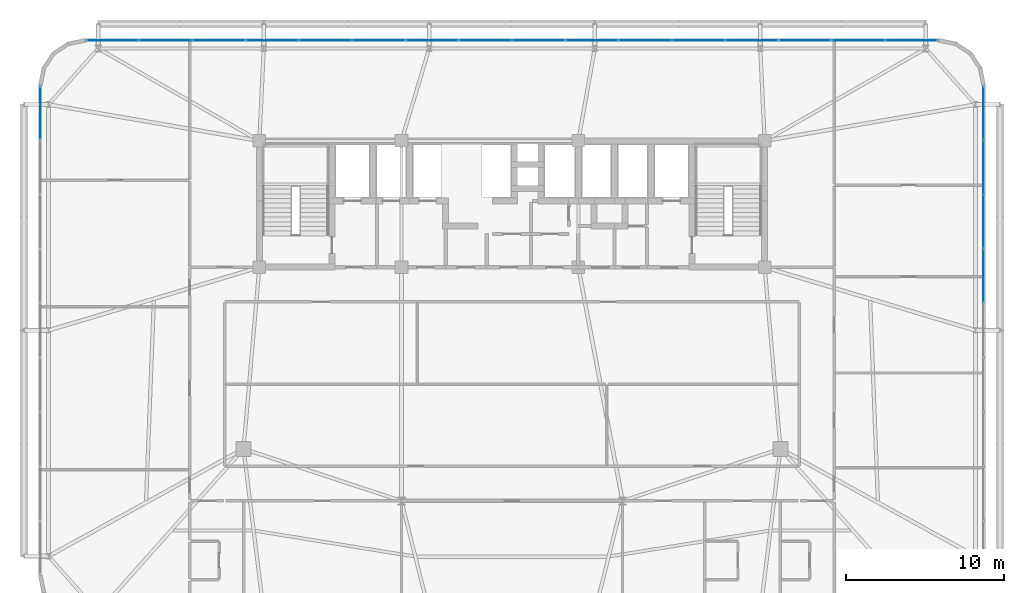
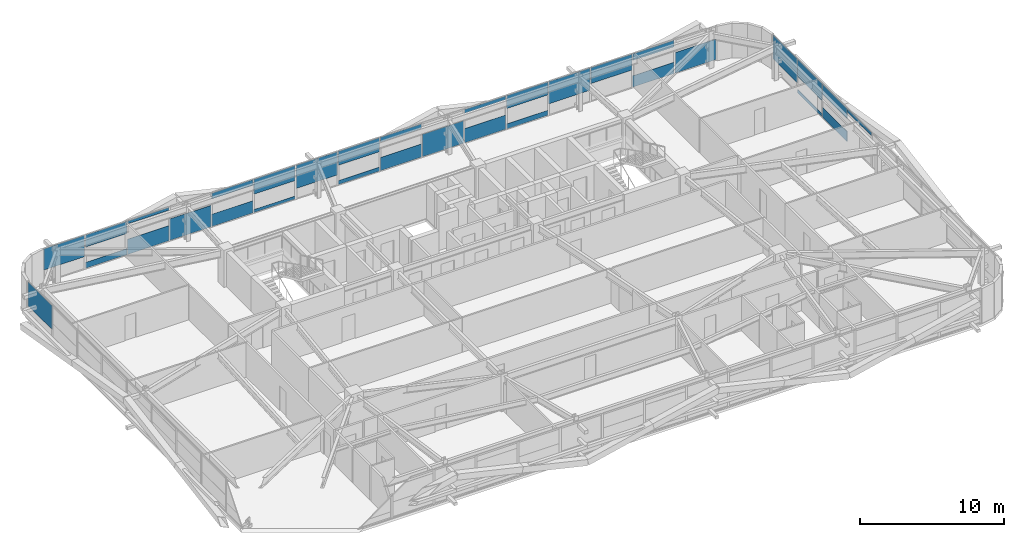
# One storey, part 43 of 59: 32 plates, 3 elements without a shape of their own.
"""IFC4 building model written with IfcOpenShell, lengths in metres."""

from ifc_helpers import new_model, si_unit, direction, frame, origin, origin_2d, place, context, subcontext, project, spatial, rectangle, extrude, source, transform, mapped, material, layer, layer_set, type_object, element, aggregate, save


model = new_model("IFC4")

# Units and contexts
model_context = context("Model", 3, precision=1e-05, world=origin(), true_north=direction((0.0, 1.0)))
body_context = subcontext(model_context, "Body", "Model", "MODEL_VIEW")
ifc_project = project(units=[si_unit("LENGTHUNIT", "METRE"), si_unit("AREAUNIT", "SQUARE_METRE"), si_unit("VOLUMEUNIT", "CUBIC_METRE"), si_unit("PLANEANGLEUNIT", "RADIAN"), si_unit("MASSUNIT", "GRAM", prefix="KILO")], contexts=[model_context])

# Site, building, storey
site_placement = place(None, origin())
site = spatial("IfcSite", under=ifc_project, at=site_placement, CompositionType="ELEMENT")
building_placement = place(site_placement, origin())
building = spatial("IfcBuilding", under=site, at=building_placement, Name="Taldren Reach Tower", CompositionType="ELEMENT")
storey_placement = place(building_placement, frame((0.0, 0.0, 29.39990234375)))
storey = spatial("IfcBuildingStorey", under=building, at=storey_placement, Name="L08", CompositionType="ELEMENT", Elevation=29.39990234375)

# Curtain wall, plates
ifc_material_1 = material(Name="Aluminium and Low-E Glass Unitised System", Category="aluminium")
ifc_layer_1 = layer(ifc_material_1, 0.159912109375)
ifc_layer_set_1 = layer_set([ifc_layer_1], Name="Aluminium and Low-E Glass Unitised System")
curtain_wall_type = type_object("IfcCurtainWallType", Name="CW-SYS-2", PredefinedType="NOTDEFINED", material=ifc_layer_set_1)
curtain_wall_1_placement = place(storey_placement, origin())
curtain_wall_1 = element("IfcCurtainWall", 1, at=curtain_wall_1_placement, inside=storey, type_object=curtain_wall_type, Name="Unitised curtain wall CW-L08-N", PredefinedType="NOTDEFINED")
ifc_material_2 = material(Name="Solar-Control Double Glazed IGU", Category="glass")
ifc_layer_2 = layer(ifc_material_2, 0.031982421875)
ifc_layer_set_2 = layer_set([ifc_layer_2], Name="Solar-Control Double Glazed IGU")
plate_type = type_object("IfcPlateType", Name="CW-PNL-IGU32", PredefinedType="CURTAIN_PANEL", material=ifc_layer_set_2)
shared_shape_1 = source(origin(), body_context, "Body", "SweptSolid", [
    extrude(rectangle(XDim=3.277587890625, YDim=0.031982421875, at=origin_2d()), origin(), (0.0, 0.0, 1.0), 1.73876953125),
])
plate_1_placement = place(storey_placement, frame((60.296142578125, 38.360107421875, 0.05517578125), z_axis=(0.0, 0.0, 1.0), x_axis=(-1.0, 0.0, 0.0)))
plate_1 = element("IfcPlate", 2, at=plate_1_placement, type_object=plate_type, Name="CW-2 panel 1.1 part 1", PredefinedType="CURTAIN_PANEL", context=body_context, shape_type="MappedRepresentation", body=[
    mapped(shared_shape_1, transform((0.0, 0.0, 0.0), scale=1.0)),
])
shared_shape_2 = source(origin(), body_context, "Body", "SweptSolid", [
    extrude(rectangle(XDim=3.31005859375, YDim=0.031982421875, at=origin_2d()), origin(), (0.0, 0.0, 1.0), 0.9560546875),
])
plate_2_placement = place(storey_placement, frame((56.9375, 38.360107421875, 0.05517578125), z_axis=(0.0, 0.0, 1.0), x_axis=(-1.0, 0.0, 0.0)))
plate_2 = element("IfcPlate", 3, at=plate_2_placement, type_object=plate_type, Name="CW-2 panel 2.1 part 1", PredefinedType="CURTAIN_PANEL", context=body_context, shape_type="MappedRepresentation", body=[
    mapped(shared_shape_2, transform((0.0, 0.0, 0.0), scale=1.0)),
])
shared_shape_3 = source(origin(), body_context, "Body", "SweptSolid", [
    extrude(rectangle(XDim=3.31005859375, YDim=0.031982421875, at=origin_2d()), origin(), (0.0, 0.0, 1.0), 0.562744140625),
])
plate_3_placement = place(storey_placement, frame((56.9375, 38.360107421875, 2.3125), z_axis=(0.0, 0.0, 1.0), x_axis=(-1.0, 0.0, 0.0)))
plate_3 = element("IfcPlate", 4, at=plate_3_placement, type_object=plate_type, Name="CW-2 panel 2.1 part 2", PredefinedType="CURTAIN_PANEL", context=body_context, shape_type="MappedRepresentation", body=[
    mapped(shared_shape_3, transform((0.0, 0.0, 0.0), scale=1.0)),
])
shared_shape_4 = source(origin(), body_context, "Body", "SweptSolid", [
    extrude(rectangle(XDim=3.31005859375, YDim=0.031982421875, at=origin_2d()), origin(), (0.0, 0.0, 1.0), 1.345458984375),
])
plate_4_placement = place(storey_placement, frame((53.5625, 38.360107421875, 1.52978515625), z_axis=(0.0, 0.0, 1.0), x_axis=(-1.0, 0.0, 0.0)))
plate_4 = element("IfcPlate", 5, at=plate_4_placement, type_object=plate_type, Name="CW-2 panel 3.1 part 1", PredefinedType="CURTAIN_PANEL", context=body_context, shape_type="MappedRepresentation", body=[
    mapped(shared_shape_4, transform((0.0, 0.0, 0.0), scale=1.0)),
])
shared_shape_5 = source(origin(), body_context, "Body", "SweptSolid", [
    extrude(rectangle(XDim=3.31005859375, YDim=0.031982421875, at=origin_2d()), origin(), (0.0, 0.0, 1.0), 1.881103515625),
])
plate_5_placement = place(storey_placement, frame((50.1875, 38.360107421875, 0.994140625), z_axis=(0.0, 0.0, 1.0), x_axis=(-1.0, 0.0, 0.0)))
plate_5 = element("IfcPlate", 6, at=plate_5_placement, type_object=plate_type, Name="CW-2 panel 4.1 part 1", PredefinedType="CURTAIN_PANEL", context=body_context, shape_type="MappedRepresentation", body=[
    mapped(shared_shape_5, transform((0.0, 0.0, 0.0), scale=1.0)),
])
shared_shape_6 = source(origin(), body_context, "Body", "SweptSolid", [
    extrude(rectangle(XDim=3.31005859375, YDim=0.031982421875, at=origin_2d()), origin(), (0.0, 0.0, 1.0), 0.42041015625),
])
plate_6_placement = place(storey_placement, frame((46.8125, 38.360107421875, 0.05517578125), z_axis=(0.0, 0.0, 1.0), x_axis=(-1.0, 0.0, 0.0)))
plate_6 = element("IfcPlate", 7, at=plate_6_placement, type_object=plate_type, Name="CW-2 panel 5.1 part 1", PredefinedType="CURTAIN_PANEL", context=body_context, shape_type="MappedRepresentation", body=[
    mapped(shared_shape_6, transform((0.0, 0.0, 0.0), scale=1.0)),
])
shared_shape_7 = source(origin(), body_context, "Body", "SweptSolid", [
    extrude(rectangle(XDim=3.31005859375, YDim=0.031982421875, at=origin_2d()), origin(), (0.0, 0.0, 1.0), 1.098388671875),
])
plate_7_placement = place(storey_placement, frame((46.8125, 38.360107421875, 1.77685546875), z_axis=(0.0, 0.0, 1.0), x_axis=(-1.0, 0.0, 0.0)))
plate_7 = element("IfcPlate", 8, at=plate_7_placement, type_object=plate_type, Name="CW-2 panel 5.1 part 2", PredefinedType="CURTAIN_PANEL", context=body_context, shape_type="MappedRepresentation", body=[
    mapped(shared_shape_7, transform((0.0, 0.0, 0.0), scale=1.0)),
])
shared_shape_8 = source(origin(), body_context, "Body", "SweptSolid", [
    extrude(rectangle(XDim=3.31005859375, YDim=0.031982421875, at=origin_2d()), origin(), (0.0, 0.0, 1.0), 1.203125),
])
plate_8_placement = place(storey_placement, frame((43.4375, 38.360107421875, 0.05517578125), z_axis=(0.0, 0.0, 1.0), x_axis=(-1.0, 0.0, 0.0)))
plate_8 = element("IfcPlate", 9, at=plate_8_placement, type_object=plate_type, Name="CW-2 panel 6.1 part 1", PredefinedType="CURTAIN_PANEL", context=body_context, shape_type="MappedRepresentation", body=[
    mapped(shared_shape_8, transform((0.0, 0.0, 0.0), scale=1.0)),
])
shared_shape_9 = source(origin(), body_context, "Body", "SweptSolid", [
    extrude(rectangle(XDim=3.31005859375, YDim=0.031982421875, at=origin_2d()), origin(), (0.0, 0.0, 1.0), 0.31591796875),
])
plate_9_placement = place(storey_placement, frame((43.4375, 38.360107421875, 2.55908203125), z_axis=(0.0, 0.0, 1.0), x_axis=(-1.0, 0.0, 0.0)))
plate_9 = element("IfcPlate", 10, at=plate_9_placement, type_object=plate_type, Name="CW-2 panel 6.1 part 2", PredefinedType="CURTAIN_PANEL", context=body_context, shape_type="MappedRepresentation", body=[
    mapped(shared_shape_9, transform((0.0, 0.0, 0.0), scale=1.0)),
])
shared_shape_10 = source(origin(), body_context, "Body", "SweptSolid", [
    extrude(rectangle(XDim=3.31005859375, YDim=0.031982421875, at=origin_2d()), origin(), (0.0, 0.0, 1.0), 1.9033203125),
])
plate_10_placement = place(storey_placement, frame((40.0625, 38.360107421875, 0.05517578125), z_axis=(0.0, 0.0, 1.0), x_axis=(-1.0, 0.0, 0.0)))
plate_10 = element("IfcPlate", 11, at=plate_10_placement, type_object=plate_type, Name="CW-2 panel 7.1 part 1", PredefinedType="CURTAIN_PANEL", context=body_context, shape_type="MappedRepresentation", body=[
    mapped(shared_shape_10, transform((0.0, 0.0, 0.0), scale=1.0)),
])
shared_shape_11 = source(origin(), body_context, "Body", "SweptSolid", [
    extrude(rectangle(XDim=3.31005859375, YDim=0.031982421875, at=origin_2d()), origin(), (0.0, 0.0, 1.0), 1.120849609375),
])
plate_11_placement = place(storey_placement, frame((36.6875, 38.360107421875, 0.05517578125), z_axis=(0.0, 0.0, 1.0), x_axis=(-1.0, 0.0, 0.0)))
plate_11 = element("IfcPlate", 12, at=plate_11_placement, type_object=plate_type, Name="CW-2 panel 8.1 part 1", PredefinedType="CURTAIN_PANEL", context=body_context, shape_type="MappedRepresentation", body=[
    mapped(shared_shape_11, transform((0.0, 0.0, 0.0), scale=1.0)),
])
shared_shape_12 = source(origin(), body_context, "Body", "SweptSolid", [
    extrude(rectangle(XDim=3.31005859375, YDim=0.031982421875, at=origin_2d()), origin(), (0.0, 0.0, 1.0), 0.398193359375),
])
plate_12_placement = place(storey_placement, frame((36.6875, 38.360107421875, 2.47705078125), z_axis=(0.0, 0.0, 1.0), x_axis=(-1.0, 0.0, 0.0)))
plate_12 = element("IfcPlate", 13, at=plate_12_placement, type_object=plate_type, Name="CW-2 panel 8.1 part 2", PredefinedType="CURTAIN_PANEL", context=body_context, shape_type="MappedRepresentation", body=[
    mapped(shared_shape_12, transform((0.0, 0.0, 0.0), scale=1.0)),
])
shared_shape_13 = source(origin(), body_context, "Body", "SweptSolid", [
    extrude(rectangle(XDim=3.31005859375, YDim=0.031982421875, at=origin_2d()), origin(), (0.0, 0.0, 1.0), 0.338134765625),
])
plate_13_placement = place(storey_placement, frame((33.3125, 38.360107421875, 0.05517578125), z_axis=(0.0, 0.0, 1.0), x_axis=(-1.0, 0.0, 0.0)))
plate_13 = element("IfcPlate", 14, at=plate_13_placement, type_object=plate_type, Name="CW-2 panel 9.1 part 1", PredefinedType="CURTAIN_PANEL", context=body_context, shape_type="MappedRepresentation", body=[
    mapped(shared_shape_13, transform((0.0, 0.0, 0.0), scale=1.0)),
])
shared_shape_14 = source(origin(), body_context, "Body", "SweptSolid", [
    extrude(rectangle(XDim=3.31005859375, YDim=0.031982421875, at=origin_2d()), origin(), (0.0, 0.0, 1.0), 1.1806640625),
])
plate_14_placement = place(storey_placement, frame((33.3125, 38.360107421875, 1.6943359375), z_axis=(0.0, 0.0, 1.0), x_axis=(-1.0, 0.0, 0.0)))
plate_14 = element("IfcPlate", 15, at=plate_14_placement, type_object=plate_type, Name="CW-2 panel 9.1 part 2", PredefinedType="CURTAIN_PANEL", context=body_context, shape_type="MappedRepresentation", body=[
    mapped(shared_shape_14, transform((0.0, 0.0, 0.0), scale=1.0)),
])
shared_shape_15 = source(origin(), body_context, "Body", "SweptSolid", [
    extrude(rectangle(XDim=3.31005859375, YDim=0.031982421875, at=origin_2d()), origin(), (0.0, 0.0, 1.0), 1.96337890625),
])
plate_15_placement = place(storey_placement, frame((29.9375, 38.360107421875, 0.91162109375), z_axis=(0.0, 0.0, 1.0), x_axis=(-1.0, 0.0, 0.0)))
plate_15 = element("IfcPlate", 16, at=plate_15_placement, type_object=plate_type, Name="CW-2 panel 10.1 part 1", PredefinedType="CURTAIN_PANEL", context=body_context, shape_type="MappedRepresentation", body=[
    mapped(shared_shape_15, transform((0.0, 0.0, 0.0), scale=1.0)),
])
shared_shape_16 = source(origin(), body_context, "Body", "SweptSolid", [
    extrude(rectangle(XDim=3.31005859375, YDim=0.031982421875, at=origin_2d()), origin(), (0.0, 0.0, 1.0), 0.255859375),
])
plate_16_placement = place(storey_placement, frame((26.5625, 38.360107421875, 0.05517578125), z_axis=(0.0, 0.0, 1.0), x_axis=(-1.0, 0.0, 0.0)))
plate_16 = element("IfcPlate", 17, at=plate_16_placement, type_object=plate_type, Name="CW-2 panel 11.1 part 1", PredefinedType="CURTAIN_PANEL", context=body_context, shape_type="MappedRepresentation", body=[
    mapped(shared_shape_16, transform((0.0, 0.0, 0.0), scale=1.0)),
])
shared_shape_17 = source(origin(), body_context, "Body", "SweptSolid", [
    extrude(rectangle(XDim=3.31005859375, YDim=0.031982421875, at=origin_2d()), origin(), (0.0, 0.0, 1.0), 1.26318359375),
])
plate_17_placement = place(storey_placement, frame((26.5625, 38.360107421875, 1.612060546875), z_axis=(0.0, 0.0, 1.0), x_axis=(-1.0, 0.0, 0.0)))
plate_17 = element("IfcPlate", 18, at=plate_17_placement, type_object=plate_type, Name="CW-2 panel 11.1 part 2", PredefinedType="CURTAIN_PANEL", context=body_context, shape_type="MappedRepresentation", body=[
    mapped(shared_shape_17, transform((0.0, 0.0, 0.0), scale=1.0)),
])
shared_shape_18 = source(origin(), body_context, "Body", "SweptSolid", [
    extrude(rectangle(XDim=3.31005859375, YDim=0.031982421875, at=origin_2d()), origin(), (0.0, 0.0, 1.0), 1.03857421875),
])
plate_18_placement = place(storey_placement, frame((23.1875, 38.360107421875, 0.054931640625), z_axis=(0.0, 0.0, 1.0), x_axis=(-1.0, 0.0, 0.0)))
plate_18 = element("IfcPlate", 19, at=plate_18_placement, type_object=plate_type, Name="CW-2 panel 12.1 part 1", PredefinedType="CURTAIN_PANEL", context=body_context, shape_type="MappedRepresentation", body=[
    mapped(shared_shape_18, transform((0.0, 0.0, 0.0), scale=1.0)),
])
shared_shape_19 = source(origin(), body_context, "Body", "SweptSolid", [
    extrude(rectangle(XDim=3.31005859375, YDim=0.031982421875, at=origin_2d()), origin(), (0.0, 0.0, 1.0), 0.48046875),
])
plate_19_placement = place(storey_placement, frame((23.1875, 38.360107421875, 2.39453125), z_axis=(0.0, 0.0, 1.0), x_axis=(-1.0, 0.0, 0.0)))
plate_19 = element("IfcPlate", 20, at=plate_19_placement, type_object=plate_type, Name="CW-2 panel 12.1 part 2", PredefinedType="CURTAIN_PANEL", context=body_context, shape_type="MappedRepresentation", body=[
    mapped(shared_shape_19, transform((0.0, 0.0, 0.0), scale=1.0)),
])
shared_shape_20 = source(origin(), body_context, "Body", "SweptSolid", [
    extrude(rectangle(XDim=3.31005859375, YDim=0.031982421875, at=origin_2d()), origin(), (0.0, 0.0, 1.0), 1.821044921875),
])
plate_20_placement = place(storey_placement, frame((19.8125, 38.360107421875, 0.05517578125), z_axis=(0.0, 0.0, 1.0), x_axis=(-1.0, 0.0, 0.0)))
plate_20 = element("IfcPlate", 21, at=plate_20_placement, type_object=plate_type, Name="CW-2 panel 13.1 part 1", PredefinedType="CURTAIN_PANEL", context=body_context, shape_type="MappedRepresentation", body=[
    mapped(shared_shape_20, transform((0.0, 0.0, 0.0), scale=1.0)),
])
shared_shape_21 = source(origin(), body_context, "Body", "SweptSolid", [
    extrude(rectangle(XDim=3.31005859375, YDim=0.031982421875, at=origin_2d()), origin(), (0.0, 0.0, 1.0), 1.285400390625),
])
plate_21_placement = place(storey_placement, frame((16.4375, 38.360107421875, 0.05517578125), z_axis=(0.0, 0.0, 1.0), x_axis=(-1.0, 0.0, 0.0)))
plate_21 = element("IfcPlate", 22, at=plate_21_placement, type_object=plate_type, Name="CW-2 panel 14.1 part 1", PredefinedType="CURTAIN_PANEL", context=body_context, shape_type="MappedRepresentation", body=[
    mapped(shared_shape_21, transform((0.0, 0.0, 0.0), scale=1.0)),
])
shared_shape_22 = source(origin(), body_context, "Body", "SweptSolid", [
    extrude(rectangle(XDim=3.31005859375, YDim=0.031982421875, at=origin_2d()), origin(), (0.0, 0.0, 1.0), 0.233642578125),
])
plate_22_placement = place(storey_placement, frame((16.4375, 38.360107421875, 2.6416015625), z_axis=(0.0, 0.0, 1.0), x_axis=(-1.0, 0.0, 0.0)))
plate_22 = element("IfcPlate", 23, at=plate_22_placement, type_object=plate_type, Name="CW-2 panel 14.1 part 2", PredefinedType="CURTAIN_PANEL", context=body_context, shape_type="MappedRepresentation", body=[
    mapped(shared_shape_22, transform((0.0, 0.0, 0.0), scale=1.0)),
])
shared_shape_23 = source(origin(), body_context, "Body", "SweptSolid", [
    extrude(rectangle(XDim=3.31005859375, YDim=0.031982421875, at=origin_2d()), origin(), (0.0, 0.0, 1.0), 0.5029296875),
])
plate_23_placement = place(storey_placement, frame((13.0625, 38.360107421875, 0.054931640625), z_axis=(0.0, 0.0, 1.0), x_axis=(-1.0, 0.0, 0.0)))
plate_23 = element("IfcPlate", 24, at=plate_23_placement, type_object=plate_type, Name="CW-2 panel 15.1 part 1", PredefinedType="CURTAIN_PANEL", context=body_context, shape_type="MappedRepresentation", body=[
    mapped(shared_shape_23, transform((0.0, 0.0, 0.0), scale=1.0)),
])
shared_shape_24 = source(origin(), body_context, "Body", "SweptSolid", [
    extrude(rectangle(XDim=3.31005859375, YDim=0.031982421875, at=origin_2d()), origin(), (0.0, 0.0, 1.0), 1.01611328125),
])
plate_24_placement = place(storey_placement, frame((13.0625, 38.360107421875, 1.85888671875), z_axis=(0.0, 0.0, 1.0), x_axis=(-1.0, 0.0, 0.0)))
plate_24 = element("IfcPlate", 25, at=plate_24_placement, type_object=plate_type, Name="CW-2 panel 15.1 part 2", PredefinedType="CURTAIN_PANEL", context=body_context, shape_type="MappedRepresentation", body=[
    mapped(shared_shape_24, transform((0.0, 0.0, 0.0), scale=1.0)),
])
shared_shape_25 = source(origin(), body_context, "Body", "SweptSolid", [
    extrude(rectangle(XDim=3.277587890625, YDim=0.031982421875, at=origin_2d()), origin(), (0.0, 0.0, 1.0), 1.798583984375),
])
plate_25_placement = place(storey_placement, frame((9.703857421875, 38.360107421875, 1.07666015625), z_axis=(0.0, 0.0, 1.0), x_axis=(-1.0, 0.0, 0.0)))
plate_25 = element("IfcPlate", 26, at=plate_25_placement, type_object=plate_type, Name="CW-2 panel 16.1 part 1", PredefinedType="CURTAIN_PANEL", context=body_context, shape_type="MappedRepresentation", body=[
    mapped(shared_shape_25, transform((0.0, 0.0, 0.0), scale=1.0)),
])
aggregate(curtain_wall_1, [plate_1, plate_2, plate_3, plate_4, plate_5, plate_6, plate_7, plate_8, plate_9, plate_10, plate_11, plate_12, plate_13, plate_14, plate_15, plate_16, plate_17, plate_18, plate_19, plate_20, plate_21, plate_22, plate_23, plate_24, plate_25])

# Curtain wall, plate
curtain_wall_2_placement = place(storey_placement, origin())
curtain_wall_2 = element("IfcCurtainWall", 27, at=curtain_wall_2_placement, inside=storey, type_object=curtain_wall_type, Name="Unitised curtain wall CW-L08-W", PredefinedType="NOTDEFINED")
shared_shape_26 = source(origin(), body_context, "Body", "SweptSolid", [
    extrude(rectangle(XDim=3.346923828125, YDim=0.031982421875, at=origin_2d()), origin(), (0.0, 0.0, 1.0), 2.015380859375),
])
plate_26_placement = place(storey_placement, frame((5.139892578125, 33.761474609375, 0.85986328125), z_axis=(0.0, 0.0, 1.0), x_axis=(0.0, -1.0, 0.0)))
plate_26 = element("IfcPlate", 28, at=plate_26_placement, type_object=plate_type, Name="CW-2 panel 1.1 part 1", PredefinedType="CURTAIN_PANEL", context=body_context, shape_type="MappedRepresentation", body=[
    mapped(shared_shape_26, transform((0.0, 0.0, 0.0), scale=1.0)),
])
aggregate(curtain_wall_2, [plate_26])

# Curtain wall, plates
curtain_wall_3_placement = place(storey_placement, origin())
curtain_wall_3 = element("IfcCurtainWall", 29, at=curtain_wall_3_placement, inside=storey, type_object=curtain_wall_type, Name="Unitised curtain wall CW-L08-E", PredefinedType="NOTDEFINED")
plate_27_placement = place(storey_placement, frame((64.860107421875, 33.761474609375, 0.85986328125), z_axis=(0.0, 0.0, 1.0), x_axis=(0.0, 1.0, 0.0)))
plate_27 = element("IfcPlate", 30, at=plate_27_placement, type_object=plate_type, Name="CW-2 panel 9.1 part 1", PredefinedType="CURTAIN_PANEL", context=body_context, shape_type="MappedRepresentation", body=[
    mapped(shared_shape_26, transform((0.0, 0.0, 0.0), scale=1.0)),
])
shared_shape_27 = source(origin(), body_context, "Body", "SweptSolid", [
    extrude(rectangle(XDim=3.37939453125, YDim=0.031982421875, at=origin_2d()), origin(), (0.0, 0.0, 1.0), 0.288330078125),
])
plate_28_placement = place(storey_placement, frame((64.860107421875, 30.333251953125, 0.05517578125), z_axis=(0.0, 0.0, 1.0), x_axis=(0.0, 1.0, 0.0)))
plate_28 = element("IfcPlate", 31, at=plate_28_placement, type_object=plate_type, Name="CW-2 panel 8.1 part 1", PredefinedType="CURTAIN_PANEL", context=body_context, shape_type="MappedRepresentation", body=[
    mapped(shared_shape_27, transform((0.0, 0.0, 0.0), scale=1.0)),
])
shared_shape_28 = source(origin(), body_context, "Body", "SweptSolid", [
    extrude(rectangle(XDim=3.37939453125, YDim=0.031982421875, at=origin_2d()), origin(), (0.0, 0.0, 1.0), 1.43017578125),
])
plate_29_placement = place(storey_placement, frame((64.860107421875, 30.333251953125, 1.44482421875), z_axis=(0.0, 0.0, 1.0), x_axis=(0.0, 1.0, 0.0)))
plate_29 = element("IfcPlate", 32, at=plate_29_placement, type_object=plate_type, Name="CW-2 panel 8.1 part 2", PredefinedType="CURTAIN_PANEL", context=body_context, shape_type="MappedRepresentation", body=[
    mapped(shared_shape_28, transform((0.0, 0.0, 0.0), scale=1.0)),
])
shared_shape_29 = source(origin(), body_context, "Body", "SweptSolid", [
    extrude(rectangle(XDim=3.37939453125, YDim=0.031982421875, at=origin_2d()), origin(), (0.0, 0.0, 1.0), 0.87353515625),
])
plate_30_placement = place(storey_placement, frame((64.860107421875, 26.888916015625, 0.05517578125), z_axis=(0.0, 0.0, 1.0), x_axis=(0.0, 1.0, 0.0)))
plate_30 = element("IfcPlate", 33, at=plate_30_placement, type_object=plate_type, Name="CW-2 panel 7.1 part 1", PredefinedType="CURTAIN_PANEL", context=body_context, shape_type="MappedRepresentation", body=[
    mapped(shared_shape_29, transform((0.0, 0.0, 0.0), scale=1.0)),
])
shared_shape_30 = source(origin(), body_context, "Body", "SweptSolid", [
    extrude(rectangle(XDim=3.37939453125, YDim=0.031982421875, at=origin_2d()), origin(), (0.0, 0.0, 1.0), 0.8447265625),
])
plate_31_placement = place(storey_placement, frame((64.860107421875, 26.888916015625, 2.0302734375), z_axis=(0.0, 0.0, 1.0), x_axis=(0.0, 1.0, 0.0)))
plate_31 = element("IfcPlate", 34, at=plate_31_placement, type_object=plate_type, Name="CW-2 panel 7.1 part 2", PredefinedType="CURTAIN_PANEL", context=body_context, shape_type="MappedRepresentation", body=[
    mapped(shared_shape_30, transform((0.0, 0.0, 0.0), scale=1.0)),
])
shared_shape_31 = source(origin(), body_context, "Body", "SweptSolid", [
    extrude(rectangle(XDim=3.37939453125, YDim=0.031982421875, at=origin_2d()), origin(), (0.0, 0.0, 1.0), 0.259521484375),
])
plate_32_placement = place(storey_placement, frame((64.860107421875, 23.4443359375, 2.61572265625), z_axis=(0.0, 0.0, 1.0), x_axis=(0.0, 1.0, 0.0)))
plate_32 = element("IfcPlate", 35, at=plate_32_placement, type_object=plate_type, Name="CW-2 panel 6.1 part 2", PredefinedType="CURTAIN_PANEL", context=body_context, shape_type="MappedRepresentation", body=[
    mapped(shared_shape_31, transform((0.0, 0.0, 0.0), scale=1.0)),
])
aggregate(curtain_wall_3, [plate_32, plate_30, plate_31, plate_28, plate_29, plate_27])

save(model, "model.ifc")
